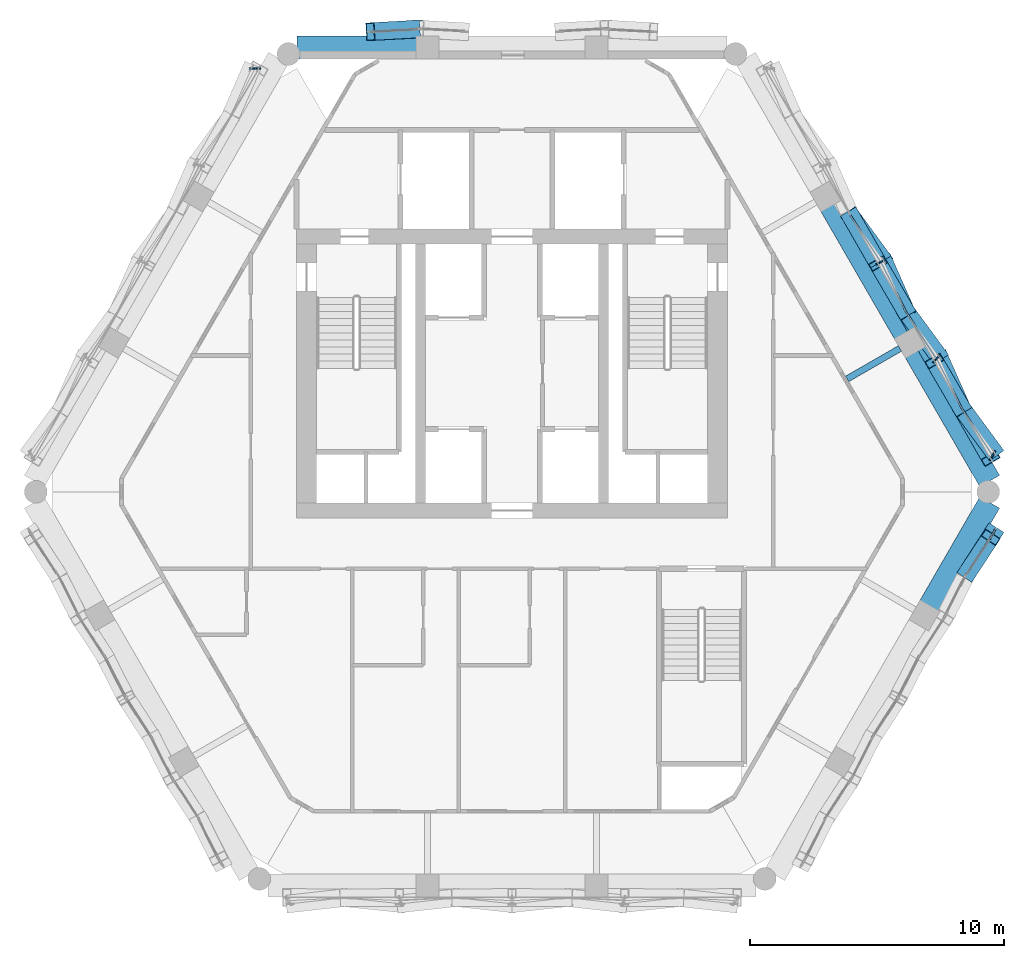
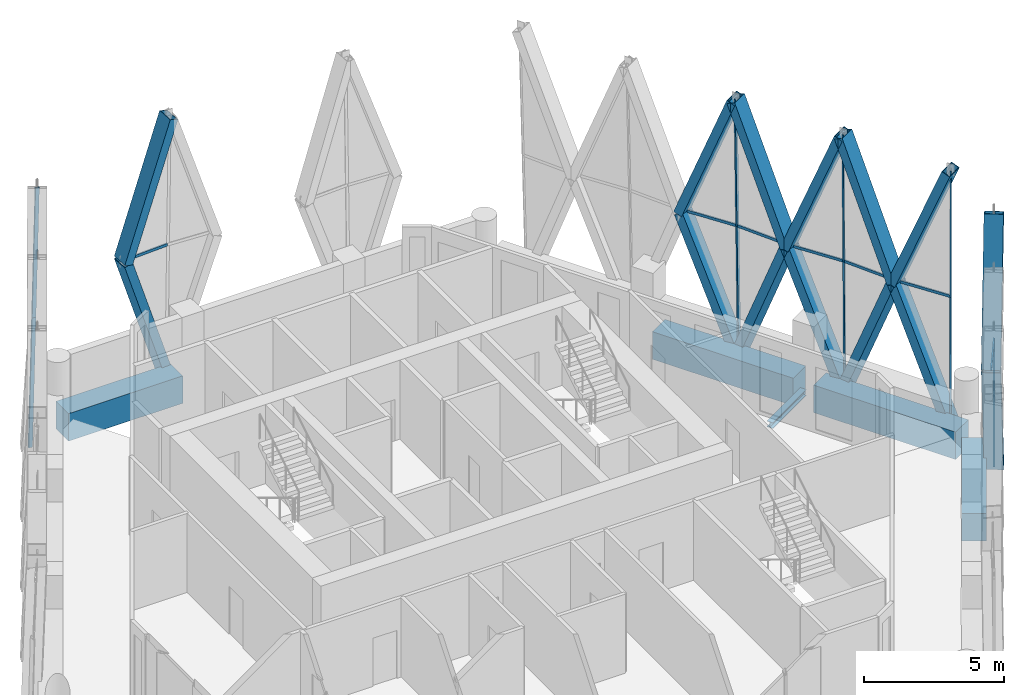
# One storey, part 8 of 22: 31 members, 5 beams, 6 elements without a shape of their own.
"""IFC4 building model written with IfcOpenShell, lengths in metres."""

from ifc_helpers import new_model, si_unit, direction, frame, origin, origin_2d, place, context, subcontext, project, spatial, rectangle, hollow_rectangle, i_section, extrude, material, material_profile, profile_set, type_object, element, aggregate, save


model = new_model("IFC4")

# Units and contexts
model_context = context("Model", 3, precision=1e-05, world=origin(), true_north=direction((0.0, 1.0)))
body_context = subcontext(model_context, "Body", "Model", "MODEL_VIEW")
ifc_project = project(units=[si_unit("LENGTHUNIT", "METRE"), si_unit("AREAUNIT", "SQUARE_METRE"), si_unit("VOLUMEUNIT", "CUBIC_METRE"), si_unit("PLANEANGLEUNIT", "RADIAN"), si_unit("MASSUNIT", "GRAM", prefix="KILO")], contexts=[model_context])

# Site, building, storey
site_placement = place(None, origin())
site = spatial("IfcSite", under=ifc_project, at=site_placement, CompositionType="ELEMENT")
building_placement = place(site_placement, origin())
building = spatial("IfcBuilding", under=site, at=building_placement, Name="Ostrander Bayou Hotel Tower", CompositionType="ELEMENT")
storey_placement = place(building_placement, frame((0.0, 0.0, 245.0)))
storey = spatial("IfcBuildingStorey", under=building, at=storey_placement, Name="L60", CompositionType="ELEMENT", Elevation=245.0)

# Curtain wall, members
ifc_material_1 = material(Name="Aluminium and clear glass", Category="aluminium")
curtain_wall_type = type_object("IfcCurtainWallType", Name="CW-LAT lattice glazing", PredefinedType="NOTDEFINED", material=ifc_material_1)
curtain_wall_1_placement = place(storey_placement, origin())
curtain_wall_1 = element("IfcCurtainWall", 1, at=curtain_wall_1_placement, inside=storey, type_object=curtain_wall_type, Name="CW-LAT L60 NW 1", PredefinedType="NOTDEFINED")
ifc_material_2 = material(Name="Aluminium", Category="aluminium")
ifc_material_profile_1 = material_profile(ifc_material_2, hollow_rectangle(XDim=0.06005859375, YDim=0.159912109375, WallThickness=0.00390625, at=origin_2d()))
ifc_profile_set_1 = profile_set([ifc_material_profile_1], Name="Aluminium")
member_type_1 = type_object("IfcMemberType", Name="CW-LA mullion 60 x 160 mm", PredefinedType="MULLION", material=ifc_profile_set_1)
member_1_placement = place(storey_placement, frame((-10.271240234375, 16.0185546875, -0.60009765625), z_axis=(0.025165638507, 0.0, 0.999683295168), x_axis=(0.0, 1.0, 0.0)))
member_1 = element("IfcMember", 2, at=member_1_placement, type_object=member_type_1, Name="CW-LAT mullion 1", PredefinedType="MULLION", context=body_context, shape_type="SweptSolid", body=[
    extrude(hollow_rectangle(XDim=0.06005859375, YDim=0.159912109375, WallThickness=0.00390625, at=origin_2d()), origin(), (0.0, 0.0, 1.0), 5.626708984375),
])
member_2_placement = place(storey_placement, frame((-10.129638671875, 16.0185546875, 5.02490234375), z_axis=(0.025208999989, 0.0, 0.999682202662), x_axis=(0.0, 1.0, 0.0)))
member_2 = element("IfcMember", 3, at=member_2_placement, type_object=member_type_1, Name="CW-LAT mullion 2", PredefinedType="MULLION", context=body_context, shape_type="SweptSolid", body=[
    extrude(hollow_rectangle(XDim=0.06005859375, YDim=0.159912109375, WallThickness=0.00390625, at=origin_2d()), origin(), (0.0, 0.0, 1.0), 5.626708984375),
])
aggregate(curtain_wall_1, [member_1, member_2])

curtain_wall_2_placement = place(storey_placement, origin())
curtain_wall_2 = element("IfcCurtainWall", 4, at=curtain_wall_2_placement, inside=storey, type_object=curtain_wall_type, Name="CW-LAT L60 SE 1", PredefinedType="NOTDEFINED")
member_3_placement = place(storey_placement, frame((19.008056640625, -2.217041015625, -0.60009765625), z_axis=(-0.012582810856, -0.021824668484, 0.999682627996), x_axis=(0.866328918095, -0.499473928922, 0.0)))
member_3 = element("IfcMember", 5, at=member_3_placement, type_object=member_type_1, Name="CW-LAT mullion 16", PredefinedType="MULLION", context=body_context, shape_type="SweptSolid", body=[
    extrude(hollow_rectangle(XDim=0.06005859375, YDim=0.159912109375, WallThickness=0.00390625, at=origin_2d()), origin(), (0.0, 0.0, 1.0), 5.626708984375),
])
member_4_placement = place(storey_placement, frame((18.937255859375, -2.33984375, 5.02490234375), z_axis=(-0.012582822759, -0.021781300087, 0.999683573706), x_axis=(0.865898279276, -0.500220121494, 0.0)))
member_4 = element("IfcMember", 6, at=member_4_placement, type_object=member_type_1, Name="CW-LAT mullion 17", PredefinedType="MULLION", context=body_context, shape_type="SweptSolid", body=[
    extrude(hollow_rectangle(XDim=0.06005859375, YDim=0.159912109375, WallThickness=0.00390625, at=origin_2d()), origin(), (0.0, 0.0, 1.0), 5.626708984375),
])
aggregate(curtain_wall_2, [member_3, member_4])

curtain_wall_3_placement = place(storey_placement, origin())
curtain_wall_3 = element("IfcCurtainWall", 7, at=curtain_wall_3_placement, inside=storey, type_object=curtain_wall_type, Name="CW-LAT L60 NE 1", PredefinedType="NOTDEFINED")
member_5_placement = place(storey_placement, frame((19.008056640625, 0.885986328125, -0.60009765625), z_axis=(-0.012582810856, -0.021824668484, 0.999682627996), x_axis=(0.866328918095, -0.499473928922, 0.0)))
member_5 = element("IfcMember", 8, at=member_5_placement, type_object=member_type_1, Name="CW-LAT mullion 1", PredefinedType="MULLION", context=body_context, shape_type="SweptSolid", body=[
    extrude(hollow_rectangle(XDim=0.06005859375, YDim=0.159912109375, WallThickness=0.00390625, at=origin_2d()), origin(), (0.0, 0.0, 1.0), 5.626708984375),
])
member_6_placement = place(storey_placement, frame((18.937255859375, 0.76318359375, 5.02490234375), z_axis=(-0.012582810856, -0.021824668484, 0.999682627996), x_axis=(0.866328918095, -0.499473928922, 0.0)))
member_6 = element("IfcMember", 9, at=member_6_placement, type_object=member_type_1, Name="CW-LAT mullion 2", PredefinedType="MULLION", context=body_context, shape_type="SweptSolid", body=[
    extrude(hollow_rectangle(XDim=0.06005859375, YDim=0.159912109375, WallThickness=0.00390625, at=origin_2d()), origin(), (0.0, 0.0, 1.0), 5.626708984375),
])
member_7_placement = place(storey_placement, frame((16.823974609375, 4.669189453125, -0.60009765625), z_axis=(-0.015751145303, -0.016358627491, 0.999742115112), x_axis=(0.720355571769, -0.693604966982, 0.0)))
member_7 = element("IfcMember", 10, at=member_7_placement, type_object=member_type_1, Name="CW-LAT mullion 4", PredefinedType="MULLION", context=body_context, shape_type="SweptSolid", body=[
    extrude(hollow_rectangle(XDim=0.06005859375, YDim=0.159912109375, WallThickness=0.00390625, at=origin_2d()), origin(), (0.0, 0.0, 1.0), 5.62646484375),
])
member_8_placement = place(storey_placement, frame((16.7353515625, 4.5771484375, 5.02490234375), z_axis=(-0.015751145303, -0.016358627491, 0.999742115112), x_axis=(0.720355571769, -0.693604966982, 0.0)))
member_8 = element("IfcMember", 11, at=member_8_placement, type_object=member_type_1, Name="CW-LAT mullion 5", PredefinedType="MULLION", context=body_context, shape_type="SweptSolid", body=[
    extrude(hollow_rectangle(XDim=0.06005859375, YDim=0.159912109375, WallThickness=0.00390625, at=origin_2d()), origin(), (0.0, 0.0, 1.0), 5.62646484375),
])
member_9_placement = place(storey_placement, frame((14.6396484375, 8.4521484375, -0.60009765625), z_axis=(-0.018875724526, -0.010891510014, 0.999762512817), x_axis=(0.499779910804, -0.866152435058, 0.0)))
member_9 = element("IfcMember", 12, at=member_9_placement, type_object=member_type_1, Name="CW-LAT mullion 8", PredefinedType="MULLION", context=body_context, shape_type="SweptSolid", body=[
    extrude(hollow_rectangle(XDim=0.06005859375, YDim=0.159912109375, WallThickness=0.00390625, at=origin_2d()), origin(), (0.0, 0.0, 1.0), 5.626220703125),
])
member_10_placement = place(storey_placement, frame((14.533447265625, 8.390869140625, 5.02490234375), z_axis=(-0.018919101482, -0.010891501083, 0.999761693007), x_axis=(0.498919206287, -0.866648501757, 0.0)))
member_10 = element("IfcMember", 13, at=member_10_placement, type_object=member_type_1, Name="CW-LAT mullion 9", PredefinedType="MULLION", context=body_context, shape_type="SweptSolid", body=[
    extrude(hollow_rectangle(XDim=0.06005859375, YDim=0.159912109375, WallThickness=0.00390625, at=origin_2d()), origin(), (0.0, 0.0, 1.0), 5.626220703125),
])
aggregate(curtain_wall_3, [member_5, member_6, member_7, member_8, member_9, member_10])

# Curtain wall, member
curtain_wall_4_placement = place(storey_placement, origin())
curtain_wall_4 = element("IfcCurtainWall", 14, at=curtain_wall_4_placement, inside=storey, type_object=curtain_wall_type, Name="CW-LAT L60 N 2", PredefinedType="NOTDEFINED")
ifc_material_3 = material(Name="Aluminium", Category="aluminium")
ifc_material_profile_2 = material_profile(ifc_material_3, hollow_rectangle(XDim=0.06005859375, YDim=0.1201171875, WallThickness=0.00390625, at=origin_2d()))
ifc_profile_set_2 = profile_set([ifc_material_profile_2], Name="Aluminium")
member_type_2 = type_object("IfcMemberType", Name="CW-LA transom 60 x 120 mm", PredefinedType="USERDEFINED", material=ifc_profile_set_2)
member_11_placement = place(storey_placement, frame((-3.72119140625, 17.570068359375, 5.02490234375), z_axis=(-0.998576992717, -0.053329069156, 0.0), x_axis=(0.053329069156, -0.998576992717, 0.0)))
member_11 = element("IfcMember", 15, at=member_11_placement, type_object=member_type_2, Name="CW-LAT transom 8", ObjectType="TRANSOM", PredefinedType="USERDEFINED", context=body_context, shape_type="SweptSolid", body=[
    extrude(hollow_rectangle(XDim=0.06005859375, YDim=0.1201171875, WallThickness=0.00390625, at=origin_2d()), origin(), (0.0, 0.0, 1.0), 1.86328125),
])
aggregate(curtain_wall_4, [member_11])

curtain_wall_5_placement = place(storey_placement, origin())
curtain_wall_5 = element("IfcCurtainWall", 16, at=curtain_wall_5_placement, inside=storey, type_object=curtain_wall_type, Name="CW-LAT L60 SE 2", PredefinedType="NOTDEFINED")
member_12_placement = place(storey_placement, frame((18.937255859375, -2.33984375, 5.02490234375), z_axis=(-0.545504102111, -0.838108152078, 0.0), x_axis=(0.838108152078, -0.545504102111, 0.0)))
member_12 = element("IfcMember", 17, at=member_12_placement, type_object=member_type_2, Name="CW-LAT transom 18", ObjectType="TRANSOM", PredefinedType="USERDEFINED", context=body_context, shape_type="SweptSolid", body=[
    extrude(hollow_rectangle(XDim=0.06005859375, YDim=0.1201171875, WallThickness=0.00390625, at=origin_2d()), origin(), (0.0, 0.0, 1.0), 1.863037109375),
])
aggregate(curtain_wall_5, [member_12])

# Curtain wall, members
curtain_wall_6_placement = place(storey_placement, origin())
curtain_wall_6 = element("IfcCurtainWall", 18, at=curtain_wall_6_placement, inside=storey, type_object=curtain_wall_type, Name="CW-LAT L60 NE 2", PredefinedType="NOTDEFINED")
member_13_placement = place(storey_placement, frame((18.937255859375, 0.76318359375, 5.02490234375), z_axis=(-0.54433433076, 0.838868366525, 0.0), x_axis=(-0.838868366525, -0.54433433076, 0.0)))
member_13 = element("IfcMember", 19, at=member_13_placement, type_object=member_type_2, Name="CW-LAT transom 3", ObjectType="TRANSOM", PredefinedType="USERDEFINED", context=body_context, shape_type="SweptSolid", body=[
    extrude(hollow_rectangle(XDim=0.06005859375, YDim=0.1201171875, WallThickness=0.00390625, at=origin_2d()), origin(), (0.0, 0.0, 1.0), 2.204833984375),
])
member_14_placement = place(storey_placement, frame((16.7353515625, 4.5771484375, 5.02490234375), z_axis=(0.454285663815, -0.890856068988, 0.0), x_axis=(0.890856068988, 0.454285663815, 0.0)))
member_14 = element("IfcMember", 20, at=member_14_placement, type_object=member_type_2, Name="CW-LAT transom 6", ObjectType="TRANSOM", PredefinedType="USERDEFINED", context=body_context, shape_type="SweptSolid", body=[
    extrude(hollow_rectangle(XDim=0.06005859375, YDim=0.1201171875, WallThickness=0.00390625, at=origin_2d()), origin(), (0.0, 0.0, 1.0), 2.205078125),
])
member_15_placement = place(storey_placement, frame((16.7353515625, 4.5771484375, 5.02490234375), z_axis=(-0.54433433076, 0.838868366525, 0.0), x_axis=(-0.838868366525, -0.54433433076, 0.0)))
member_15 = element("IfcMember", 21, at=member_15_placement, type_object=member_type_2, Name="CW-LAT transom 7", ObjectType="TRANSOM", PredefinedType="USERDEFINED", context=body_context, shape_type="SweptSolid", body=[
    extrude(hollow_rectangle(XDim=0.06005859375, YDim=0.1201171875, WallThickness=0.00390625, at=origin_2d()), origin(), (0.0, 0.0, 1.0), 2.204833984375),
])
member_16_placement = place(storey_placement, frame((14.533447265625, 8.390869140625, 5.02490234375), z_axis=(0.454330476541, -0.890833215639, 0.0), x_axis=(0.890833215639, 0.454330476541, 0.0)))
member_16 = element("IfcMember", 22, at=member_16_placement, type_object=member_type_2, Name="CW-LAT transom 10", ObjectType="TRANSOM", PredefinedType="USERDEFINED", context=body_context, shape_type="SweptSolid", body=[
    extrude(hollow_rectangle(XDim=0.06005859375, YDim=0.1201171875, WallThickness=0.00390625, at=origin_2d()), origin(), (0.0, 0.0, 1.0), 2.204833984375),
])
member_17_placement = place(storey_placement, frame((14.533447265625, 8.390869140625, 5.02490234375), z_axis=(-0.54433433076, 0.838868366525, 0.0), x_axis=(-0.838868366525, -0.54433433076, 0.0)))
member_17 = element("IfcMember", 23, at=member_17_placement, type_object=member_type_2, Name="CW-LAT transom 11", ObjectType="TRANSOM", PredefinedType="USERDEFINED", context=body_context, shape_type="SweptSolid", body=[
    extrude(hollow_rectangle(XDim=0.06005859375, YDim=0.1201171875, WallThickness=0.00390625, at=origin_2d()), origin(), (0.0, 0.0, 1.0), 2.204833984375),
])
aggregate(curtain_wall_6, [member_13, member_14, member_15, member_16, member_17])

# Beam
ifc_material_4 = material(Name="Steel ASTM A992", Category="steel")
ifc_material_profile_3 = material_profile(ifc_material_4, i_section(OverallWidth=0.25390625, OverallDepth=0.25341796875, WebThickness=0.008544921875, FlangeThickness=0.01416015625, at=origin_2d()))
ifc_profile_set_3 = profile_set([ifc_material_profile_3], Name="Steel ASTM A992")
beam_type_1 = type_object("IfcBeamType", Name="LB2 loggia bracket W10x49", PredefinedType="BEAM", material=ifc_profile_set_3)
beam_1_placement = place(storey_placement, frame((15.291259765625, 4.98388671875, -0.4267578125), z_axis=(-0.866050077142, -0.499957262057, 0.0), x_axis=(0.499957262057, -0.866050077142, 0.0)))
element("IfcBeam", 24, at=beam_1_placement, inside=storey, type_object=beam_type_1, Name="LB2 L60 NE1", PredefinedType="BEAM", context=body_context, shape_type="SweptSolid", body=[
    extrude(i_section(OverallWidth=0.25390625, OverallDepth=0.25341796875, WebThickness=0.008544921875, FlangeThickness=0.01416015625, at=origin_2d()), origin(), (0.0, 0.0, 1.0), 2.400146484375),
])

# Members
ifc_material_5 = material(Name="Steel ASTM A572 Gr 50", Category="steel")
ifc_material_profile_4 = material_profile(ifc_material_5, hollow_rectangle(XDim=0.699951171875, YDim=0.35009765625, WallThickness=0.02490234375, at=origin_2d()))
ifc_profile_set_4 = profile_set([ifc_material_profile_4], Name="Steel ASTM A572 Gr 50")
member_type_3 = type_object("IfcMemberType", Name="LT1 lattice member box 700 x 350 x 25 mm", PredefinedType="BRACE", material=ifc_profile_set_4)
member_18_placement = place(storey_placement, frame((-5.581787109375, 17.470703125, 5.02490234375), z_axis=(0.303164122078, 0.016830964082, -0.952789711181), x_axis=(-0.055432303406, 0.998462447836, 0.0)))
element("IfcMember", 25, at=member_18_placement, inside=storey, type_object=member_type_3, Name="LT1 L60 N 7", PredefinedType="BRACE", context=body_context, shape_type="SweptSolid", body=[
    extrude(hollow_rectangle(XDim=0.699951171875, YDim=0.35009765625, WallThickness=0.02490234375, at=origin_2d()), origin(), (0.0, 0.0, 1.0), 5.90380859375),
])
member_19_placement = place(storey_placement, frame((-5.581787109375, 17.470703125, 5.02490234375), z_axis=(0.324704022314, 0.016705162063, 0.945668142349), x_axis=(-0.051379400453, 0.998679206357, 0.0)))
element("IfcMember", 26, at=member_19_placement, inside=storey, type_object=member_type_3, Name="LT1 L60 N 8", PredefinedType="BRACE", context=body_context, shape_type="SweptSolid", body=[
    extrude(hollow_rectangle(XDim=0.699951171875, YDim=0.35009765625, WallThickness=0.02490234375, at=origin_2d()), origin(), (0.0, 0.0, 1.0), 5.9482421875),
])
member_20_placement = place(storey_placement, frame((17.9208984375, -3.9013671875, 5.02490234375), z_axis=(0.182056071659, 0.28205812674, -0.941965392099), x_axis=(-0.840183884188, 0.542301614189, 0.0)))
element("IfcMember", 27, at=member_20_placement, inside=storey, type_object=member_type_3, Name="LT1 L60 SE 15", PredefinedType="BRACE", context=body_context, shape_type="SweptSolid", body=[
    extrude(hollow_rectangle(XDim=0.699951171875, YDim=0.35009765625, WallThickness=0.02490234375, at=origin_2d()), origin(), (0.0, 0.0, 1.0), 5.971435546875),
])
member_21_placement = place(storey_placement, frame((17.9208984375, -3.9013671875, 5.02490234375), z_axis=(0.160737089624, 0.244612550025, 0.95620514974), x_axis=(-0.835718494526, 0.549158080981, 0.0)))
element("IfcMember", 28, at=member_21_placement, inside=storey, type_object=member_type_3, Name="LT1 L60 SE 16", PredefinedType="BRACE", context=body_context, shape_type="SweptSolid", body=[
    extrude(hollow_rectangle(XDim=0.699951171875, YDim=0.35009765625, WallThickness=0.02490234375, at=origin_2d()), origin(), (0.0, 0.0, 1.0), 5.882568359375),
])
member_22_placement = place(storey_placement, frame((17.737060546875, 2.61279296875, 5.02490234375), z_axis=(0.211136151604, -0.286854783, -0.934417390119), x_axis=(0.805364818521, 0.592779477622, 0.0)))
element("IfcMember", 29, at=member_22_placement, inside=storey, type_object=member_type_3, Name="LT1 L60 NE 1", PredefinedType="BRACE", context=body_context, shape_type="SweptSolid", body=[
    extrude(hollow_rectangle(XDim=0.699951171875, YDim=0.35009765625, WallThickness=0.02490234375, at=origin_2d()), origin(), (0.0, 0.0, 1.0), 6.019775390625),
])
member_23_placement = place(storey_placement, frame((17.737060546875, 2.61279296875, 5.02490234375), z_axis=(0.186158566981, -0.325113502515, 0.9271710729), x_axis=(0.86780653592, 0.496902219973, 0.0)))
element("IfcMember", 30, at=member_23_placement, inside=storey, type_object=member_type_3, Name="LT1 L60 NE 2", PredefinedType="BRACE", context=body_context, shape_type="SweptSolid", body=[
    extrude(hollow_rectangle(XDim=0.699951171875, YDim=0.35009765625, WallThickness=0.02490234375, at=origin_2d()), origin(), (0.0, 0.0, 1.0), 6.06689453125),
])
member_24_placement = place(storey_placement, frame((17.737060546875, 2.61279296875, 5.02490234375), z_axis=(-0.150716283941, 0.339434026641, -0.928476786632), x_axis=(-0.913954676359, -0.405816275624, 0.0)))
element("IfcMember", 31, at=member_24_placement, inside=storey, type_object=member_type_3, Name="LT1 L60 NE 3", PredefinedType="BRACE", context=body_context, shape_type="SweptSolid", body=[
    extrude(hollow_rectangle(XDim=0.699951171875, YDim=0.35009765625, WallThickness=0.02490234375, at=origin_2d()), origin(), (0.0, 0.0, 1.0), 6.058349609375),
])
member_25_placement = place(storey_placement, frame((17.737060546875, 2.61279296875, 5.02490234375), z_axis=(-0.180882322919, 0.310610509285, 0.933168096742), x_axis=(-0.864150571287, -0.503233335685, 0.0)))
element("IfcMember", 32, at=member_25_placement, inside=storey, type_object=member_type_3, Name="LT1 L60 NE 4", PredefinedType="BRACE", context=body_context, shape_type="SweptSolid", body=[
    extrude(hollow_rectangle(XDim=0.699951171875, YDim=0.35009765625, WallThickness=0.02490234375, at=origin_2d()), origin(), (0.0, 0.0, 1.0), 6.02783203125),
])
member_26_placement = place(storey_placement, frame((15.53515625, 6.4267578125, 5.02490234375), z_axis=(0.213646786163, -0.291351243339, -0.932453486114), x_axis=(0.806419240715, 0.591344238329, 0.0)))
element("IfcMember", 33, at=member_26_placement, inside=storey, type_object=member_type_3, Name="LT1 L60 NE 5", PredefinedType="BRACE", context=body_context, shape_type="SweptSolid", body=[
    extrude(hollow_rectangle(XDim=0.699951171875, YDim=0.35009765625, WallThickness=0.02490234375, at=origin_2d()), origin(), (0.0, 0.0, 1.0), 6.032470703125),
])
member_27_placement = place(storey_placement, frame((15.53515625, 6.4267578125, 5.02490234375), z_axis=(0.183621311744, -0.320742431868, 0.929197237551), x_axis=(0.867846668759, 0.496832124086, 0.0)))
element("IfcMember", 34, at=member_27_placement, inside=storey, type_object=member_type_3, Name="LT1 L60 NE 6", PredefinedType="BRACE", context=body_context, shape_type="SweptSolid", body=[
    extrude(hollow_rectangle(XDim=0.699951171875, YDim=0.35009765625, WallThickness=0.02490234375, at=origin_2d()), origin(), (0.0, 0.0, 1.0), 6.0537109375),
])
member_28_placement = place(storey_placement, frame((15.53515625, 6.4267578125, 5.02490234375), z_axis=(-0.148134693691, 0.335039645272, -0.930486189377), x_axis=(-0.914591798249, -0.404378340884, 0.0)))
element("IfcMember", 35, at=member_28_placement, inside=storey, type_object=member_type_3, Name="LT1 L60 NE 7", PredefinedType="BRACE", context=body_context, shape_type="SweptSolid", body=[
    extrude(hollow_rectangle(XDim=0.699951171875, YDim=0.35009765625, WallThickness=0.02490234375, at=origin_2d()), origin(), (0.0, 0.0, 1.0), 6.045166015625),
])
member_29_placement = place(storey_placement, frame((15.53515625, 6.4267578125, 5.02490234375), z_axis=(-0.183449642421, 0.315004739597, 0.931191839917), x_axis=(-0.864140593634, -0.503250468887, 0.0)))
element("IfcMember", 36, at=member_29_placement, inside=storey, type_object=member_type_3, Name="LT1 L60 NE 8", PredefinedType="BRACE", context=body_context, shape_type="SweptSolid", body=[
    extrude(hollow_rectangle(XDim=0.699951171875, YDim=0.35009765625, WallThickness=0.02490234375, at=origin_2d()), origin(), (0.0, 0.0, 1.0), 6.04052734375),
])
member_30_placement = place(storey_placement, frame((13.333251953125, 10.240478515625, 5.02490234375), z_axis=(0.216101865985, -0.295822494551, -0.930477853168), x_axis=(0.807490080198, 0.58988114937, 0.0)))
element("IfcMember", 37, at=member_30_placement, inside=storey, type_object=member_type_3, Name="LT1 L60 NE 9", PredefinedType="BRACE", context=body_context, shape_type="SweptSolid", body=[
    extrude(hollow_rectangle(XDim=0.699951171875, YDim=0.35009765625, WallThickness=0.02490234375, at=origin_2d()), origin(), (0.0, 0.0, 1.0), 6.045166015625),
])
member_31_placement = place(storey_placement, frame((13.333251953125, 10.240478515625, 5.02490234375), z_axis=(0.181067539031, -0.316342774107, 0.931204486447), x_axis=(0.867888091678, 0.496759761175, 0.0)))
element("IfcMember", 38, at=member_31_placement, inside=storey, type_object=member_type_3, Name="LT1 L60 NE 10", PredefinedType="BRACE", context=body_context, shape_type="SweptSolid", body=[
    extrude(hollow_rectangle(XDim=0.699951171875, YDim=0.35009765625, WallThickness=0.02490234375, at=origin_2d()), origin(), (0.0, 0.0, 1.0), 6.04052734375),
])

# Beams
ifc_material_6 = material(Name="Concrete f'c 60 MPa", Category="concrete")
ifc_material_profile_5 = material_profile(ifc_material_6, rectangle(XDim=0.89990234375, YDim=1.199951171875, at=origin_2d()))
ifc_profile_set_5 = profile_set([ifc_material_profile_5], Name="Concrete f'c 60 MPa")
beam_type_2 = type_object("IfcBeamType", Name="SP4 spandrel beam 900 x 1200 mm f'c 60 MPa", PredefinedType="SPANDREL", material=ifc_profile_set_5)
beam_2_placement = place(storey_placement, frame((-3.74951171875, 16.85009765625, -0.60009765625), z_axis=(-1.0, 0.0, 0.0), x_axis=(0.0, -1.0, 0.0)))
element("IfcBeam", 39, at=beam_2_placement, inside=storey, type_object=beam_type_2, Name="SP4 L60 N-3", PredefinedType="SPANDREL", context=body_context, shape_type="SweptSolid", body=[
    extrude(rectangle(XDim=0.89990234375, YDim=1.199951171875, at=origin_2d()), origin(), (0.0, 0.0, 1.0), 4.72314453125),
])
beam_3_placement = place(storey_placement, frame((16.46728515625, -5.177978515625, -0.60009765625), z_axis=(0.499980471007, 0.86603667856, 0.0), x_axis=(-0.86603667856, 0.499980471007, 0.0)))
element("IfcBeam", 40, at=beam_3_placement, inside=storey, type_object=beam_type_2, Name="SP4 L60 SE-3", PredefinedType="SPANDREL", context=body_context, shape_type="SweptSolid", body=[
    extrude(rectangle(XDim=0.89990234375, YDim=1.199951171875, at=origin_2d()), origin(), (0.0, 0.0, 1.0), 4.723388671875),
])
beam_4_placement = place(storey_placement, frame((18.828857421875, -0.24365234375, -0.60009765625), z_axis=(-0.499990994059, 0.866030603304, 0.0), x_axis=(-0.866030603304, -0.499990994059, 0.0)))
element("IfcBeam", 41, at=beam_4_placement, inside=storey, type_object=beam_type_2, Name="SP4 L60 NE-1", PredefinedType="SPANDREL", context=body_context, shape_type="SweptSolid", body=[
    extrude(rectangle(XDim=0.89990234375, YDim=1.199951171875, at=origin_2d()), origin(), (0.0, 0.0, 1.0), 5.8759765625),
])
beam_5_placement = place(storey_placement, frame((15.470947265625, 5.572509765625, -0.60009765625), z_axis=(-0.499997265274, 0.866026982673, 0.0), x_axis=(-0.866026982673, -0.499997265274, 0.0)))
element("IfcBeam", 42, at=beam_5_placement, inside=storey, type_object=beam_type_2, Name="SP4 L60 NE-2", PredefinedType="SPANDREL", context=body_context, shape_type="SweptSolid", body=[
    extrude(rectangle(XDim=0.89990234375, YDim=1.199951171875, at=origin_2d()), origin(), (0.0, 0.0, 1.0), 5.81884765625),
])

save(model, "model.ifc")
